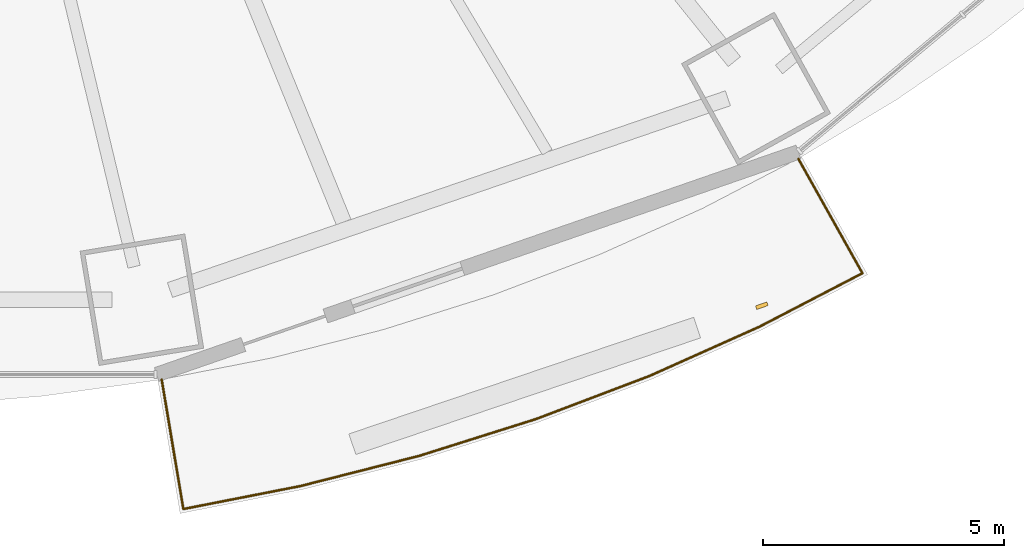
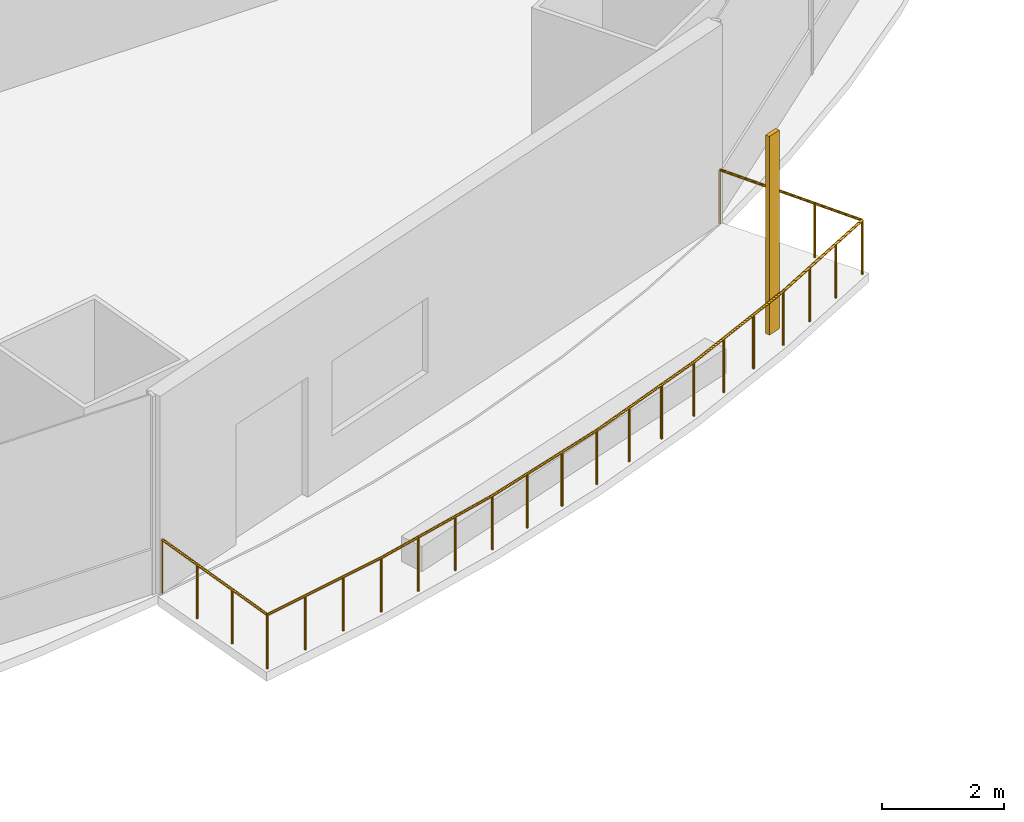
# One storey, part 19 of 23: 1 railing, 1 shading device.
"""IFC4 building model written with IfcOpenShell, lengths in metres."""

from ifc_helpers import new_model, si_unit, direction, frame, origin, origin_2d, place, context, subcontext, project, spatial, rectangle, circle, extrude, material, material_profile, profile_set, type_object, element, save


model = new_model("IFC4")

# Units and contexts
model_context = context("Model", 3, precision=1e-05, world=origin(), true_north=direction((0.0, 1.0)))
body_context = subcontext(model_context, "Body", "Model", "MODEL_VIEW")
ifc_project = project(units=[si_unit("LENGTHUNIT", "METRE"), si_unit("AREAUNIT", "SQUARE_METRE"), si_unit("VOLUMEUNIT", "CUBIC_METRE"), si_unit("PLANEANGLEUNIT", "RADIAN"), si_unit("MASSUNIT", "GRAM", prefix="KILO")], contexts=[model_context])

# Site, building, storey
site_placement = place(None, origin())
site = spatial("IfcSite", under=ifc_project, at=site_placement, CompositionType="ELEMENT")
building_placement = place(site_placement, origin())
building = spatial("IfcBuilding", under=site, at=building_placement, Name="Marenthal Gate Tower", CompositionType="ELEMENT")
storey_placement = place(building_placement, frame((0.0, 0.0, 37.14990234375)))
storey = spatial("IfcBuildingStorey", under=building, at=storey_placement, Name="L05", CompositionType="ELEMENT", Elevation=37.14990234375)

# Railing
ifc_material_1 = material(Name="Stainless steel", Category="steel")
railing_type = type_object("IfcRailingType", Name="Balcony guard 1100", PredefinedType="GUARDRAIL", material=ifc_material_1)
railing_placement = place(storey_placement, frame((20.486328125, -25.814697265625, 0.0)))
element("IfcRailing", 1, at=railing_placement, inside=storey, type_object=railing_type, Name="Balcony guard L05 bay 13", PredefinedType="GUARDRAIL", context=body_context, shape_type="SweptSolid", body=[
    extrude(circle(Radius=0.02392578125, at=origin_2d()), frame((0.0, 0.0, 1.076171875), z_axis=(0.488674059156, -0.872343775022, -0.014628810219), x_axis=(0.872437131701, 0.488726356184, 0.0)), (0.0, 0.0, 1.0), 2.72021484375),
    extrude(circle(Radius=0.02392578125, at=origin_2d()), frame((1.329345703125, -2.373046875, 1.0361328125), z_axis=(-0.887343289023, -0.461109409387, 0.0), x_axis=(0.461109409387, -0.887343289023, 0.0)), (0.0, 0.0, 1.0), 2.401123046875),
    extrude(circle(Radius=0.02392578125, at=origin_2d()), frame((-0.80126953125, -3.480224609375, 1.0361328125), z_axis=(-0.912627469977, -0.4087922468, 0.0), x_axis=(0.4087922468, -0.912627469977, 0.0)), (0.0, 0.0, 1.0), 2.499267578125),
    extrude(circle(Radius=0.02392578125, at=origin_2d()), frame((-3.082275390625, -4.501953125, 1.0361328125), z_axis=(-0.934889862007, -0.354937946572, 0.0), x_axis=(0.354937946572, -0.934889862007, 0.0)), (0.0, 0.0, 1.0), 2.51611328125),
    extrude(circle(Radius=0.02392578125, at=origin_2d()), frame((-5.4345703125, -5.39501953125, 1.0361328125), z_axis=(-0.953699220219, -0.300762027778, 0.0), x_axis=(0.300762027778, -0.953699220219, 0.0)), (0.0, 0.0, 1.0), 2.531005859375),
    extrude(circle(Radius=0.02392578125, at=origin_2d()), frame((-7.848388671875, -6.15625, 1.0361328125), z_axis=(-0.969175134663, -0.246372803593, 0.0), x_axis=(0.246372803593, -0.969175134663, 0.0)), (0.0, 0.0, 1.0), 2.543701171875),
    extrude(circle(Radius=0.02392578125, at=origin_2d()), frame((-10.313720703125, -6.782958984375, 1.0361328125), z_axis=(-0.981295113893, -0.192509478854, 0.0), x_axis=(0.192509478854, -0.981295113893, 0.0)), (0.0, 0.0, 1.0), 2.474365234375),
    extrude(circle(Radius=0.02392578125, at=origin_2d()), frame((-12.74169921875, -7.25927734375, 1.0361328125), z_axis=(-0.164512379847, 0.986266525987, 0.014629306009), x_axis=(-0.986372081632, -0.164529986862, 0.0)), (0.0, 0.0, 1.0), 2.72021484375),
    extrude(circle(Radius=0.02099609375, at=origin_2d()), origin(), (0.0, 0.0, 1.0), 1.052001953125),
    extrude(circle(Radius=0.02099609375, at=origin_2d()), frame((0.443115234375, -0.791015625, -0.01318359375)), (0.0, 0.0, 1.0), 1.052001953125),
    extrude(circle(Radius=0.02099609375, at=origin_2d()), frame((0.88623046875, -1.58203125, -0.026611328125)), (0.0, 0.0, 1.0), 1.052001953125),
    extrude(circle(Radius=0.02099609375, at=origin_2d()), frame((1.329345703125, -2.373046875, -0.039794921875)), (0.0, 0.0, 1.0), 1.052001953125),
    extrude(circle(Radius=0.02099609375, at=origin_2d()), frame((0.619140625, -2.7421875, -0.039794921875)), (0.0, 0.0, 1.0), 1.052001953125),
    extrude(circle(Radius=0.02099609375, at=origin_2d()), frame((-0.091064453125, -3.111083984375, -0.039794921875)), (0.0, 0.0, 1.0), 1.052001953125),
    extrude(circle(Radius=0.02099609375, at=origin_2d()), frame((-0.80126953125, -3.480224609375, -0.039794921875)), (0.0, 0.0, 1.0), 1.052001953125),
    extrude(circle(Radius=0.02099609375, at=origin_2d()), frame((-1.5615234375, -3.82080078125, -0.039794921875)), (0.0, 0.0, 1.0), 1.052001953125),
    extrude(circle(Radius=0.02099609375, at=origin_2d()), frame((-2.322021484375, -4.161376953125, -0.039794921875)), (0.0, 0.0, 1.0), 1.052001953125),
    extrude(circle(Radius=0.02099609375, at=origin_2d()), frame((-3.082275390625, -4.501953125, -0.039794921875)), (0.0, 0.0, 1.0), 1.052001953125),
    extrude(circle(Radius=0.02099609375, at=origin_2d()), frame((-3.866455078125, -4.799560546875, -0.039794921875)), (0.0, 0.0, 1.0), 1.052001953125),
    extrude(circle(Radius=0.02099609375, at=origin_2d()), frame((-4.650390625, -5.097412109375, -0.039794921875)), (0.0, 0.0, 1.0), 1.052001953125),
    extrude(circle(Radius=0.02099609375, at=origin_2d()), frame((-5.4345703125, -5.39501953125, -0.039794921875)), (0.0, 0.0, 1.0), 1.052001953125),
    extrude(circle(Radius=0.02099609375, at=origin_2d()), frame((-6.2392578125, -5.648681640625, -0.039794921875)), (0.0, 0.0, 1.0), 1.052001953125),
    extrude(circle(Radius=0.02099609375, at=origin_2d()), frame((-7.043701171875, -5.902587890625, -0.039794921875)), (0.0, 0.0, 1.0), 1.052001953125),
    extrude(circle(Radius=0.02099609375, at=origin_2d()), frame((-7.848388671875, -6.15625, -0.039794921875)), (0.0, 0.0, 1.0), 1.052001953125),
    extrude(circle(Radius=0.02099609375, at=origin_2d()), frame((-8.670166015625, -6.365234375, -0.039794921875)), (0.0, 0.0, 1.0), 1.052001953125),
    extrude(circle(Radius=0.02099609375, at=origin_2d()), frame((-9.491943359375, -6.573974609375, -0.039794921875)), (0.0, 0.0, 1.0), 1.052001953125),
    extrude(circle(Radius=0.02099609375, at=origin_2d()), frame((-10.313720703125, -6.782958984375, -0.039794921875)), (0.0, 0.0, 1.0), 1.052001953125),
    extrude(circle(Radius=0.02099609375, at=origin_2d()), frame((-11.123046875, -6.941650390625, -0.039794921875)), (0.0, 0.0, 1.0), 1.052001953125),
    extrude(circle(Radius=0.02099609375, at=origin_2d()), frame((-11.932373046875, -7.1005859375, -0.039794921875)), (0.0, 0.0, 1.0), 1.052001953125),
    extrude(circle(Radius=0.02099609375, at=origin_2d()), frame((-12.74169921875, -7.25927734375, -0.039794921875)), (0.0, 0.0, 1.0), 1.052001953125),
    extrude(circle(Radius=0.02099609375, at=origin_2d()), frame((-12.890869140625, -6.364990234375, -0.026611328125)), (0.0, 0.0, 1.0), 1.052001953125),
    extrude(circle(Radius=0.02099609375, at=origin_2d()), frame((-13.0400390625, -5.470703125, -0.01318359375)), (0.0, 0.0, 1.0), 1.052001953125),
    extrude(circle(Radius=0.02099609375, at=origin_2d()), frame((-13.189208984375, -4.576416015625, 0.0)), (0.0, 0.0, 1.0), 1.052001953125),
])

# Shading device
ifc_material_2 = material(Name="Terracotta", Category="masonry")
ifc_material_profile = material_profile(ifc_material_2, rectangle(XDim=0.25, YDim=0.080078125, at=origin_2d()), Name="Terracotta baguette 250x80")
ifc_profile_set = profile_set([ifc_material_profile], Name="Terracotta")
shading_device_type = type_object("IfcShadingDeviceType", Name="Terracotta BAGUETTE SCREEN 250x80", PredefinedType="USERDEFINED", material=ifc_profile_set)
shading_device_placement = place(storey_placement, frame((19.730712890625, -28.861572265625, -0.039794921875), z_axis=(0.0, 0.0, 1.0), x_axis=(0.944708230663, 0.327912120725, 0.0)))
element("IfcShadingDevice", 2, at=shading_device_placement, inside=storey, type_object=shading_device_type, Name="Terracotta BAGUETTE L05 bay 13R", ObjectType="BAGUETTE SCREEN", PredefinedType="USERDEFINED", context=body_context, shape_type="SweptSolid", body=[
    extrude(rectangle(XDim=0.25, YDim=0.080078125, at=origin_2d()), origin(), (0.0, 0.0, 1.0), 3.969970703125),
])

save(model, "model.ifc")
